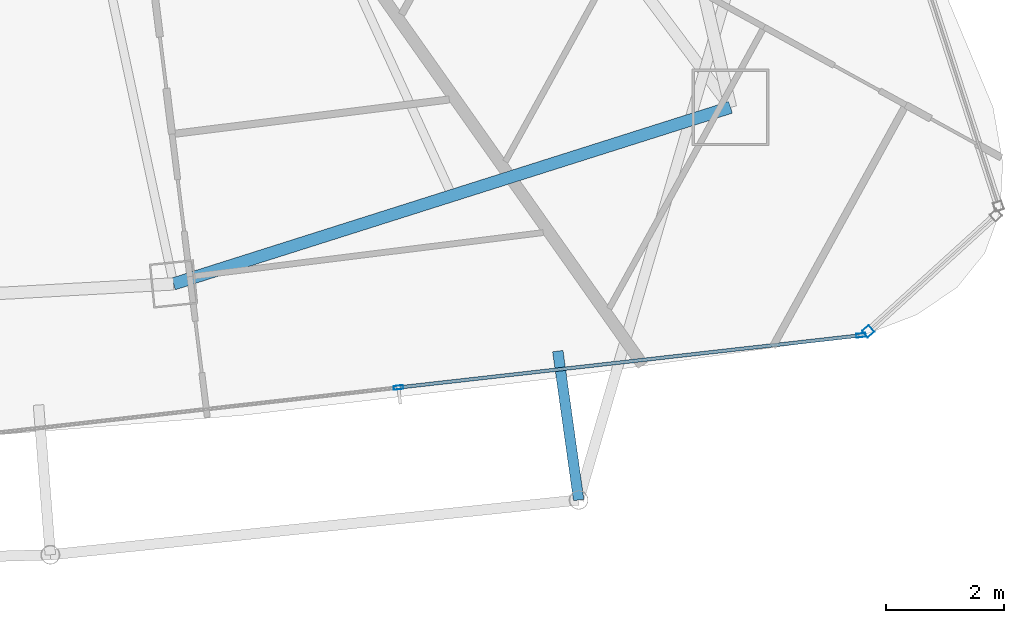
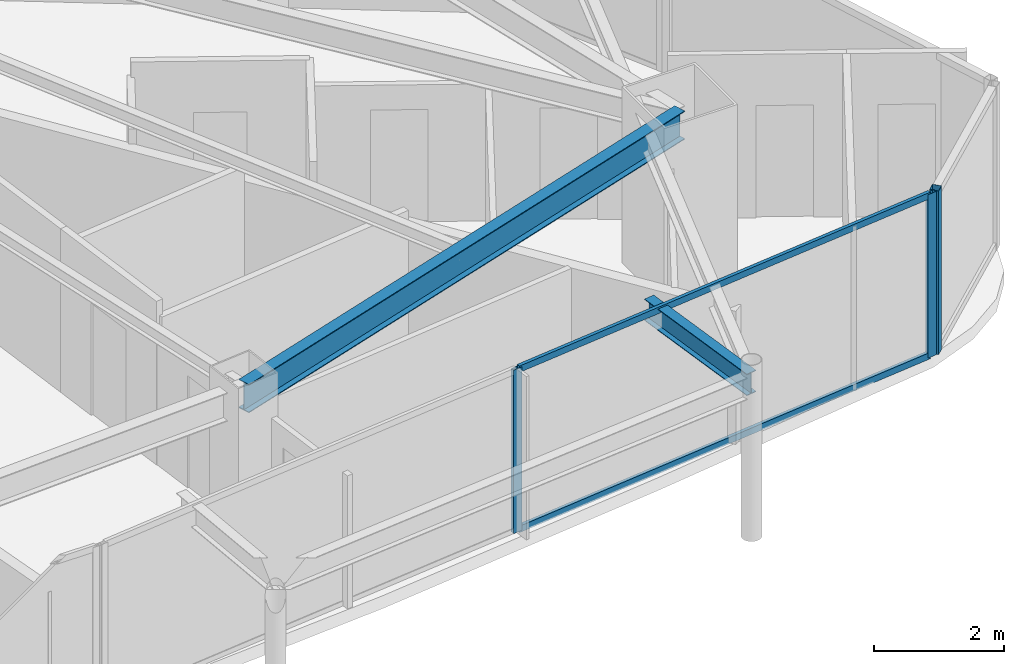
# One storey, part 15 of 33: 5 members, 2 beams, 2 elements without a shape of their own.
"""IFC4 building model written with IfcOpenShell, lengths in metres."""

from ifc_helpers import new_model, si_unit, direction, frame, origin, origin_2d, place, context, subcontext, project, spatial, hollow_rectangle, i_section, extrude, material, layer, layer_set, material_profile, profile_set, type_object, element, aggregate, save


model = new_model("IFC4")

# Units and contexts
model_context = context("Model", 3, precision=1e-05, world=origin(), true_north=direction((0.0, 1.0)))
body_context = subcontext(model_context, "Body", "Model", "MODEL_VIEW")
ifc_project = project(units=[si_unit("LENGTHUNIT", "METRE"), si_unit("AREAUNIT", "SQUARE_METRE"), si_unit("VOLUMEUNIT", "CUBIC_METRE"), si_unit("PLANEANGLEUNIT", "RADIAN"), si_unit("MASSUNIT", "GRAM", prefix="KILO")], contexts=[model_context])

# Site, building, storey
site_placement = place(None, origin())
site = spatial("IfcSite", under=ifc_project, at=site_placement, CompositionType="ELEMENT")
building_placement = place(site_placement, origin())
building = spatial("IfcBuilding", under=site, at=building_placement, Name="Orvanel Arch Residences", CompositionType="ELEMENT")
storey_placement = place(building_placement, frame((0.0, 0.0, 206.300048828125)))
storey = spatial("IfcBuildingStorey", under=building, at=storey_placement, Name="L58", CompositionType="ELEMENT", Elevation=206.300048828125)

# Curtain wall, member
ifc_material_1 = material(Name="Bronze-anodised aluminium AA6063-T6", Category="aluminium")
ifc_layer_1 = layer(ifc_material_1, 0.18994140625)
ifc_layer_set_1 = layer_set([ifc_layer_1], Name="Bronze-anodised aluminium AA6063-T6")
curtain_wall_type_1 = type_object("IfcCurtainWallType", Name="CW5-CRN-SYS", PredefinedType="NOTDEFINED", material=ifc_layer_set_1)
curtain_wall_1_placement = place(storey_placement, origin())
curtain_wall_1 = element("IfcCurtainWall", 1, at=curtain_wall_1_placement, inside=storey, type_object=curtain_wall_type_1, Name="L58 CW5-CRN-SYS Unitised Curtain Wall", PredefinedType="NOTDEFINED")
ifc_material_profile_1 = material_profile(ifc_material_1, hollow_rectangle(XDim=0.14990234375, YDim=0.14990234375, WallThickness=0.0048828125, at=origin_2d()), Name="ALU150x150x5")
ifc_profile_set_1 = profile_set([ifc_material_profile_1], Name="Bronze-anodised aluminium AA6063-T6")
member_type_1 = type_object("IfcMemberType", Name="MUL-150x150", PredefinedType="MULLION", material=ifc_profile_set_1)
member_1_placement = place(storey_placement, frame((54.138427734375, 6.551513671875, 0.0), z_axis=(0.0, 0.0, 1.0), x_axis=(-0.672511070676, 0.740087062323, 0.0)))
member_1 = element("IfcMember", 2, at=member_1_placement, type_object=member_type_1, Name="CW-S5 mullion 1", PredefinedType="MULLION", context=body_context, shape_type="SweptSolid", body=[
    extrude(hollow_rectangle(XDim=0.14990234375, YDim=0.14990234375, WallThickness=0.0048828125, at=origin_2d()), origin(), (0.0, 0.0, 1.0), 3.06005859375),
])
aggregate(curtain_wall_1, [member_1])

# Curtain wall, members
ifc_layer_2 = layer(ifc_material_1, 0.175048828125)
ifc_layer_set_2 = layer_set([ifc_layer_2], Name="Bronze-anodised aluminium AA6063-T6")
curtain_wall_type_2 = type_object("IfcCurtainWallType", Name="CW4-HI-SYS", PredefinedType="NOTDEFINED", material=ifc_layer_set_2)
curtain_wall_2_placement = place(storey_placement, origin())
curtain_wall_2 = element("IfcCurtainWall", 3, at=curtain_wall_2_placement, inside=storey, type_object=curtain_wall_type_2, Name="L58 CW4-HI-SYS Unitised Curtain Wall", PredefinedType="NOTDEFINED")
ifc_material_profile_2 = material_profile(ifc_material_1, hollow_rectangle(XDim=0.06494140625, YDim=0.159912109375, WallThickness=0.00390625, at=origin_2d()), Name="ALU160x65x4")
ifc_profile_set_2 = profile_set([ifc_material_profile_2], Name="Bronze-anodised aluminium AA6063-T6")
member_type_2 = type_object("IfcMemberType", Name="MUL-160x65", PredefinedType="MULLION", material=ifc_profile_set_2)
member_2_placement = place(storey_placement, frame((46.16748046875, 5.597412109375, 0.0), z_axis=(0.0, 0.0, 1.0), x_axis=(-0.11203680669, 0.993704057528, 0.0)))
member_2 = element("IfcMember", 4, at=member_2_placement, type_object=member_type_2, Name="CW-S4 mullion 2", PredefinedType="MULLION", context=body_context, shape_type="SweptSolid", body=[
    extrude(hollow_rectangle(XDim=0.06494140625, YDim=0.159912109375, WallThickness=0.00390625, at=origin_2d()), origin(), (0.0, 0.0, 1.0), 3.06005859375),
])
member_3_placement = place(storey_placement, frame((54.015625, 6.482421875, 0.0), z_axis=(0.0, 0.0, 1.0), x_axis=(-0.11203680669, 0.993704057528, 0.0)))
member_3 = element("IfcMember", 5, at=member_3_placement, type_object=member_type_2, Name="CW-S4 mullion 3", PredefinedType="MULLION", context=body_context, shape_type="SweptSolid", body=[
    extrude(hollow_rectangle(XDim=0.06494140625, YDim=0.159912109375, WallThickness=0.00390625, at=origin_2d()), origin(), (0.0, 0.0, 1.0), 3.06005859375),
])

# Beams
ifc_material_2 = material(Name="Structural steel AS/NZS 3679.1 Grade 300 (300 MPa)", Category="steel")
ifc_material_profile_3 = material_profile(ifc_material_2, i_section(OverallWidth=0.177978515625, OverallDepth=0.406005859375, WebThickness=0.0078125, FlangeThickness=0.0126953125, at=origin_2d()), Name="410UB59.7")
ifc_profile_set_3 = profile_set([ifc_material_profile_3], Name="Structural steel AS/NZS 3679.1 Grade 300 (300 MPa)")
beam_type_1 = type_object("IfcBeamType", Name="OB-410UB-EXT", PredefinedType="SPANDREL", material=ifc_profile_set_3)
beam_1_placement = place(storey_placement, frame((48.87109375, 6.215087890625, 2.85693359375), z_axis=(0.13878114046, -0.990323076098, 0.0), x_axis=(0.990323076098, 0.13878114046, 0.0)))
element("IfcBeam", 6, at=beam_1_placement, inside=storey, type_object=beam_type_1, Name="L58 Outer Frame Radial Tie Beam 08", PredefinedType="SPANDREL", context=body_context, shape_type="SweptSolid", body=[
    extrude(i_section(OverallWidth=0.177978515625, OverallDepth=0.406005859375, WebThickness=0.0078125, FlangeThickness=0.0126953125, at=origin_2d()), origin(), (0.0, 0.0, 1.0), 2.55078125),
])
ifc_material_profile_4 = material_profile(ifc_material_2, i_section(OverallWidth=0.208984375, OverallDepth=0.532958984375, WebThickness=0.01025390625, FlangeThickness=0.015625, at=origin_2d()), Name="530UB92.4")
ifc_profile_set_4 = profile_set([ifc_material_profile_4], Name="Structural steel AS/NZS 3679.1 Grade 300 (300 MPa)")
beam_type_2 = type_object("IfcBeamType", Name="SP-530UB", PredefinedType="SPANDREL", material=ifc_profile_set_4)
beam_2_placement = place(storey_placement, frame((42.35107421875, 7.35498046875, 2.7939453125), z_axis=(0.953237386592, 0.302222574941, 0.0), x_axis=(-0.302222574941, 0.953237386592, 0.0)))
element("IfcBeam", 7, at=beam_2_placement, inside=storey, type_object=beam_type_2, Name="L58 Perimeter Spandrel Beam 05", PredefinedType="SPANDREL", context=body_context, shape_type="SweptSolid", body=[
    extrude(i_section(OverallWidth=0.208984375, OverallDepth=0.532958984375, WebThickness=0.01025390625, FlangeThickness=0.015625, at=origin_2d()), origin(), (0.0, 0.0, 1.0), 9.91357421875),
])

# Member
ifc_material_profile_5 = material_profile(ifc_material_1, hollow_rectangle(XDim=0.06005859375, YDim=0.1201171875, WallThickness=0.00341796875, at=origin_2d()), Name="ALU120x60x3.5")
ifc_profile_set_5 = profile_set([ifc_material_profile_5], Name="Bronze-anodised aluminium AA6063-T6")
member_type_3 = type_object("IfcMemberType", Name="TRN-120x60", PredefinedType="USERDEFINED", material=ifc_profile_set_5)
member_4_placement = place(storey_placement, frame((46.19970703125, 5.60107421875, 0.030029296875), z_axis=(0.993702630569, 0.112049462295, 0.0), x_axis=(-0.112049462295, 0.993702630569, 0.0)))
member_4 = element("IfcMember", 8, at=member_4_placement, type_object=member_type_3, Name="CW-S4 transom 2.1", ObjectType="TRANSOM", PredefinedType="USERDEFINED", context=body_context, shape_type="SweptSolid", body=[
    extrude(hollow_rectangle(XDim=0.06005859375, YDim=0.1201171875, WallThickness=0.00341796875, at=origin_2d()), origin(), (0.0, 0.0, 1.0), 7.8330078125),
])

member_5_placement = place(storey_placement, frame((46.19970703125, 5.60107421875, 3.030029296875), z_axis=(0.993702630569, 0.112049462295, 0.0), x_axis=(-0.112049462295, 0.993702630569, 0.0)))
member_5 = element("IfcMember", 9, at=member_5_placement, type_object=member_type_3, Name="CW-S4 transom 2.2", ObjectType="TRANSOM", PredefinedType="USERDEFINED", context=body_context, shape_type="SweptSolid", body=[
    extrude(hollow_rectangle(XDim=0.06005859375, YDim=0.1201171875, WallThickness=0.00341796875, at=origin_2d()), origin(), (0.0, 0.0, 1.0), 7.8330078125),
])

aggregate(curtain_wall_2, [member_2, member_3, member_4, member_5])

save(model, "model.ifc")
